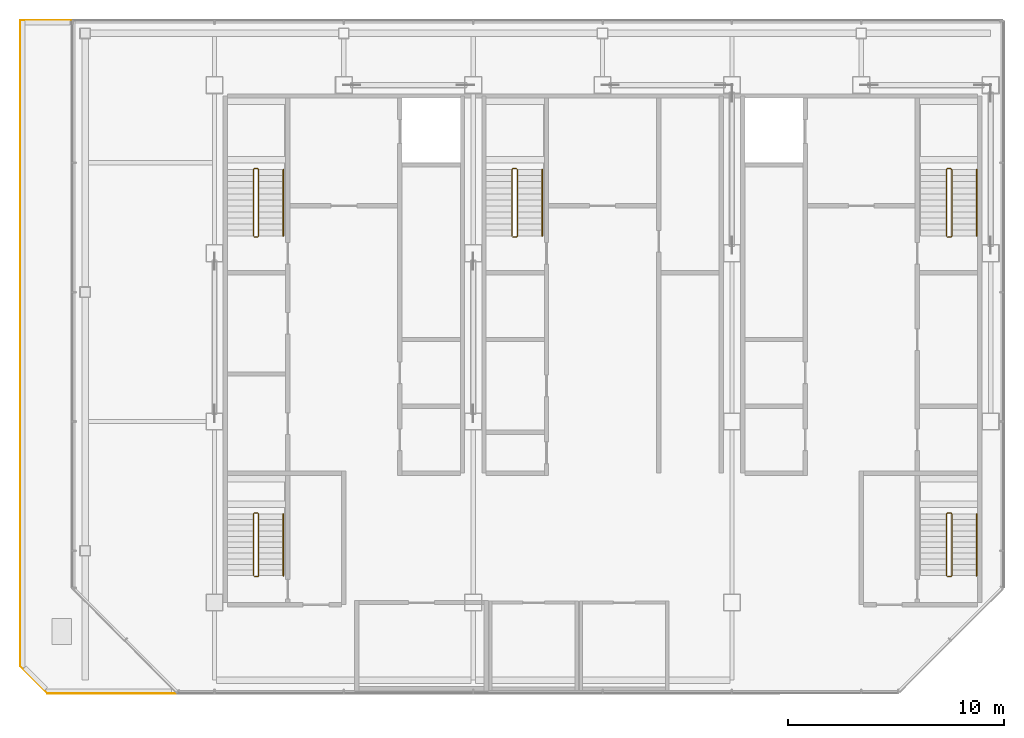
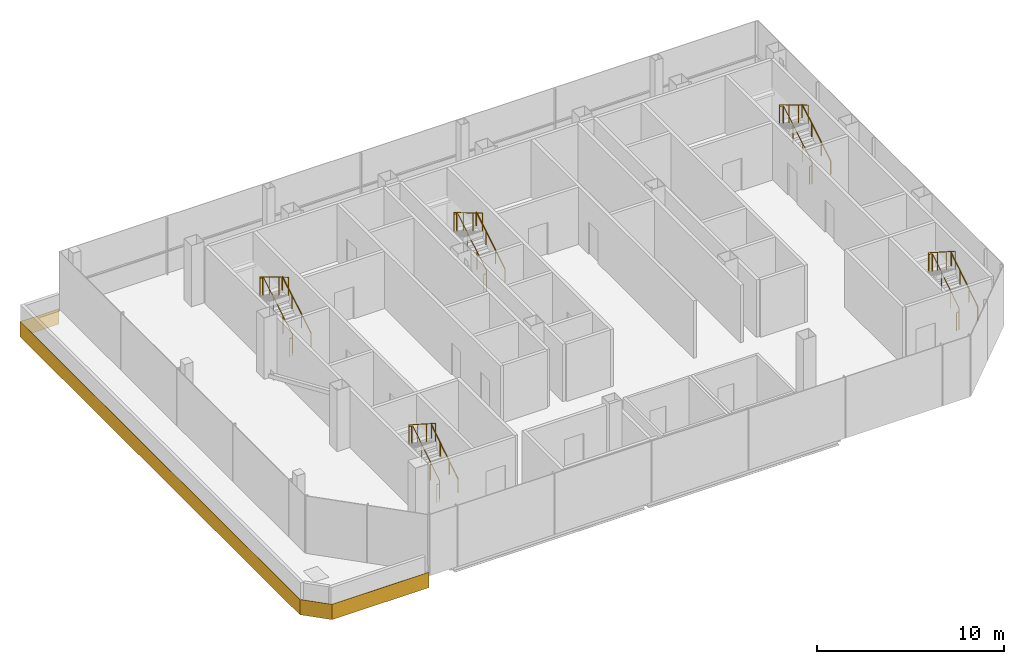
# One storey, part 11 of 11: 10 railings, 1 covering.
"""IFC4 building model written with IfcOpenShell, lengths in metres."""

import ifcopenshell
import ifcopenshell.guid

model = None  # the IFC model being written
_history = None  # IfcOwnerHistory: only IFC2X3 demands one
_inside = {}  # id of a spatial element -> (the spatial element, [elements in it])
_under = {}  # id of a project, library or spatial element -> (it, [spatial elements below it])
_declared = {}  # id of a project -> (the project, [libraries it declares])
_typed = {}  # id of a type object -> (the type object, [elements of that type])
_made_of = {}  # id of a material, layer set ... -> (it, [elements and type objects made of it])


def new_model(schema):
    """Start an empty IFC model of exactly this schema.

    Asked for "IFC4X3", IfcOpenShell would pick the latest addendum, in which some entities
    have other attributes; the version numbers below select the first issue.
    IFC2X3 requires an IfcOwnerHistory on every rooted entity: one is made here for all.
    """
    global model, _history
    if schema == "IFC4X3":
        model = ifcopenshell.file(schema_version=(4, 3, 0, 0))
    else:
        model = ifcopenshell.file(schema=schema)
    _inside.clear()
    _under.clear()
    _declared.clear()
    _typed.clear()
    _made_of.clear()
    _history = None
    if model.schema == "IFC2X3":
        org = make("IfcOrganization", Name="unknown")
        user = make(
            "IfcPersonAndOrganization",
            ThePerson=make("IfcPerson", FamilyName="unknown"),
            TheOrganization=org,
        )
        app = make(
            "IfcApplication",
            ApplicationDeveloper=org,
            Version="unknown",
            ApplicationFullName="unknown",
            ApplicationIdentifier="unknown",
        )
        _history = make(
            "IfcOwnerHistory",
            OwningUser=user,
            OwningApplication=app,
            ChangeAction="ADDED",
            CreationDate=0,
        )
    return model


def make(cls, **values):
    """One entity of the class cls with the attributes given. An attribute that is None is left unset."""
    return model.create_entity(
        cls, **{name: value for name, value in values.items() if value is not None}
    )


def rooted(cls, **values):
    """An entity with a GlobalId (a new one), such as an element, a storey or a relation."""
    return make(cls, GlobalId=ifcopenshell.guid.new(), OwnerHistory=_history, **values)


def si_unit(unit_type, name, prefix=None):
    """IfcSIUnit, for example si_unit("LENGTHUNIT", "METRE", prefix="MILLI")."""
    return make("IfcSIUnit", UnitType=unit_type, Prefix=prefix, Name=name)


def assignment(units):
    """IfcUnitAssignment: the units of a project."""
    return None if units is None else make("IfcUnitAssignment", Units=units)


def point(xyz):
    """IfcCartesianPoint."""
    return None if xyz is None else make("IfcCartesianPoint", Coordinates=xyz)


def direction(xyz):
    """IfcDirection."""
    return None if xyz is None else make("IfcDirection", DirectionRatios=xyz)


def frame(location, z_axis=None, x_axis=None):
    """IfcAxis2Placement3D, a coordinate frame: its origin and axes. An axis left out is left unset."""
    return make(
        "IfcAxis2Placement3D",
        Location=point(location),
        Axis=direction(z_axis),
        RefDirection=direction(x_axis),
    )


def frame_2d(location, x_axis=None):
    """IfcAxis2Placement2D, a coordinate frame in the plane: its origin and x axis."""
    return make(
        "IfcAxis2Placement2D", Location=point(location), RefDirection=direction(x_axis)
    )


def origin():
    """The frame at (0, 0, 0) with its axes left unset."""
    return frame((0.0, 0.0, 0.0))


def origin_2d():
    """The frame at (0, 0) in the plane with its x axis left unset."""
    return frame_2d((0.0, 0.0))


def place(relative_to, where):
    """IfcLocalPlacement: puts the frame where relative to a parent placement (None: the world)."""
    return make(
        "IfcLocalPlacement", PlacementRelTo=relative_to, RelativePlacement=where
    )


def context(
    kind, dimensions, precision=None, world=None, true_north=None, identifier=None
):
    """IfcGeometricRepresentationContext, for example the 3D "Model" context."""
    return make(
        "IfcGeometricRepresentationContext",
        ContextIdentifier=identifier,
        ContextType=kind,
        CoordinateSpaceDimension=dimensions,
        Precision=precision,
        WorldCoordinateSystem=world,
        TrueNorth=true_north,
    )


def subcontext(parent, identifier, kind, view, scale=None):
    """IfcGeometricRepresentationSubContext, for example "Body" below "Model"."""
    return make(
        "IfcGeometricRepresentationSubContext",
        ContextIdentifier=identifier,
        ContextType=kind,
        ParentContext=parent,
        TargetScale=scale,
        TargetView=view,
    )


def project(units=None, contexts=None):
    """IfcProject with its units and contexts."""
    return rooted(
        "IfcProject",
        Name="project",
        RepresentationContexts=contexts,
        UnitsInContext=assignment(units),
    )


def spatial(cls, under=None, at=None, **own):
    """A site, building, storey or space (cls), placed at a placement, below another one or the project."""
    s = rooted(cls, ObjectPlacement=at, **own)
    if under is not None:
        _under.setdefault(under.id(), (under, []))[1].append(s)
    return s


def polyline(points):
    """IfcPolyline through the points."""
    return make("IfcPolyline", Points=[point(p) for p in points])


def profile(cls, at=None, kind="AREA", **sizes):
    """A parametric profile (cls). Its sizes go by their IFC names, for example OverallWidth=200.0."""
    return make(cls, ProfileType=kind, Position=at, **sizes)


def circle(**sizes):
    """IfcCircleProfileDef."""
    return profile("IfcCircleProfileDef", **sizes)


def outline(outer, holes=None, kind="AREA"):
    """IfcArbitraryClosedProfileDef: a profile drawn as a closed curve; with holes, ...WithVoids."""
    if holes is None:
        return make("IfcArbitraryClosedProfileDef", ProfileType=kind, OuterCurve=outer)
    return make(
        "IfcArbitraryProfileDefWithVoids",
        ProfileType=kind,
        OuterCurve=outer,
        InnerCurves=holes,
    )


def extrude(swept, where, along, depth):
    """IfcExtrudedAreaSolid: the profile swept, set in the frame where, extruded along a direction by depth."""
    return make(
        "IfcExtrudedAreaSolid",
        SweptArea=swept,
        Position=where,
        ExtrudedDirection=direction(along),
        Depth=depth,
    )


def shape(context_of_items, identifier, shape_type, items):
    """IfcShapeRepresentation: the items that make up one representation, for example the "Body"."""
    return make(
        "IfcShapeRepresentation",
        ContextOfItems=context_of_items,
        RepresentationIdentifier=identifier,
        RepresentationType=shape_type,
        Items=items,
    )


def material(Name=None, Category=None):
    """IfcMaterial."""
    return make("IfcMaterial", Name=Name, Category=Category)


def layer(
    of_material, thickness, ventilated=None, Name=None, Category=None, Priority=None
):
    """IfcMaterialLayer: one layer of a wall or slab, of a material (None: an air gap)."""
    return make(
        "IfcMaterialLayer",
        Material=of_material,
        LayerThickness=thickness,
        IsVentilated=ventilated,
        Name=Name,
        Category=Category,
        Priority=Priority,
    )


def layer_set(layers, Name=None):
    """IfcMaterialLayerSet."""
    return make("IfcMaterialLayerSet", MaterialLayers=layers, LayerSetName=Name)


def made_of(thing, what):
    """Note that an element or type object is made of a material, layer set ...; save() writes the relation."""
    if what is not None:
        _made_of.setdefault(what.id(), (what, []))[1].append(thing)
    return thing


def type_object(cls, material=None, **own):
    """A type object (cls), such as IfcWallType, which elements share."""
    return made_of(rooted(cls, **own), material)


def element(
    cls,
    number,
    at=None,
    inside=None,
    cuts=None,
    type_object=None,
    material=None,
    context=None,
    identifier="Body",
    shape_type=None,
    held_by="IfcProductDefinitionShape",
    body=None,
    shapes=None,
    **own,
):
    """One element of the class cls, such as IfcWall. Its Tag is "e" and its number.

    at: its placement. inside: the storey or other place that contains it. cuts: it is an
    opening in that element (IfcRelVoidsElement). A single representation is given by context,
    identifier, shape_type and body (its items); several are given by shapes. held_by: the class
    of the entity that holds the representations. save() writes the other relations.
    """
    e = rooted(cls, Tag="e%d" % number, ObjectPlacement=at, **own)
    if body is not None:
        shapes = [shape(context, identifier, shape_type, body)]
    if shapes is not None:
        e.Representation = make(held_by, Representations=shapes)
    if inside is not None:
        _inside.setdefault(inside.id(), (inside, []))[1].append(e)
    if cuts is not None:
        rooted(
            "IfcRelVoidsElement", RelatingBuildingElement=cuts, RelatedOpeningElement=e
        )
    if type_object is not None:
        _typed.setdefault(type_object.id(), (type_object, []))[1].append(e)
    return made_of(e, material)


def aggregate(whole, parts):
    """IfcRelAggregates: a whole, such as a stair, and the parts it consists of."""
    return rooted("IfcRelAggregates", RelatingObject=whole, RelatedObjects=parts)


def save(model, path):
    """Write the relations noted so far, then the file.

    IfcRelAggregates (storeys below a building ...), IfcRelContainedInSpatialStructure (elements
    in a storey), IfcRelDefinesByType, IfcRelAssociatesMaterial and IfcRelDeclares: one each for
    every whole, place, type object, material and project.
    """
    for whole, parts in _under.values():
        aggregate(whole, parts)
    for where, things in _inside.values():
        rooted(
            "IfcRelContainedInSpatialStructure",
            RelatedElements=things,
            RelatingStructure=where,
        )
    for kind, things in _typed.values():
        rooted("IfcRelDefinesByType", RelatedObjects=things, RelatingType=kind)
    for what, things in _made_of.values():
        rooted("IfcRelAssociatesMaterial", RelatedObjects=things, RelatingMaterial=what)
    for by, libraries in _declared.values():
        rooted("IfcRelDeclares", RelatingContext=by, RelatedDefinitions=libraries)
    model.write(path)


model = new_model("IFC4")

# Units and contexts
model_context = context("Model", 3, precision=1e-05, world=origin(), true_north=direction((0.0, 1.0)))
body_context = subcontext(model_context, "Body", "Model", "MODEL_VIEW")
ifc_project = project(units=[si_unit("LENGTHUNIT", "METRE"), si_unit("AREAUNIT", "SQUARE_METRE"), si_unit("VOLUMEUNIT", "CUBIC_METRE"), si_unit("PLANEANGLEUNIT", "RADIAN"), si_unit("MASSUNIT", "GRAM", prefix="KILO")], contexts=[model_context])

# Site, building, storey
site_placement = place(None, origin())
site = spatial("IfcSite", under=ifc_project, at=site_placement, CompositionType="ELEMENT")
building_placement = place(site_placement, origin())
building = spatial("IfcBuilding", under=site, at=building_placement, Name="Sorahane Residences", CompositionType="ELEMENT")
storey_placement = place(building_placement, frame((0.0, 0.0, 349.800048828125)))
storey = spatial("IfcBuildingStorey", under=building, at=storey_placement, Name="L83", CompositionType="ELEMENT", Elevation=349.800048828125)

# Covering
ifc_material_1 = material(Name="Dark bronze aluminium", Category="aluminium")
ifc_layer = layer(ifc_material_1, 0.02001953125)
ifc_layer_set = layer_set([ifc_layer], Name="Edge fascia dark bronze aluminium 20")
covering_type = type_object("IfcCoveringType", Name="Edge fascia dark bronze aluminium 20", PredefinedType="CLADDING", material=ifc_layer_set)
covering_placement = place(storey_placement, frame((0.0, 0.0, -1.0)))
element("IfcCovering", 1, at=covering_placement, inside=storey, type_object=covering_type, Name="Edge fascia L83.1.1", PredefinedType="CLADDING", context=body_context, shape_type="SweptSolid", body=[
    extrude(outline(polyline([(-1.757080078125, 17.37890625), (-3.02099609375, 18.642822265625), (-3.02099609375, 48.62109375), (-0.610107421875, 48.62109375), (-0.610107421875, 48.60107421875), (-3.0009765625, 48.60107421875), (-3.0009765625, 18.651123046875), (-1.748779296875, 17.39892578125), (4.2373046875, 17.39892578125), (4.2373046875, 17.37890625), (-1.757080078125, 17.37890625)])), origin(), (0.0, 0.0, 1.0), 1.0),
])

# Railings
ifc_material_2 = material(Name="Steel Q355B", Category="steel")
railing_type_1 = type_object("IfcRailingType", Name="Stair guard 1200 Steel Q355B", PredefinedType="GUARDRAIL", material=ifc_material_2)
railing_1_placement = place(storey_placement, frame((7.85009765625, 38.550048828125, 0.0)))
element("IfcRailing", 2, at=railing_1_placement, inside=storey, type_object=railing_type_1, Name="L83 S1 stair guard 1", PredefinedType="GUARDRAIL", context=body_context, shape_type="SweptSolid", body=[
    extrude(circle(Radius=0.02392578125, at=origin_2d()), frame((0.0, 0.0, 1.17578125), z_axis=(1.0, 0.0, 0.0), x_axis=(0.0, 1.0, 0.0)), (0.0, 0.0, 1.0), 0.14990234375),
    extrude(circle(Radius=0.02392578125, at=origin_2d()), frame((0.14990234375, 0.0, 1.17578125), z_axis=(0.27662974545, 0.27662974545, 0.920299933644), x_axis=(-0.707106781187, 0.707106781187, 0.0)), (0.0, 0.0, 1.0), 0.180908203125),
    extrude(circle(Radius=0.02392578125, at=origin_2d()), frame((0.199951171875, 0.050048828125, 1.34228515625), z_axis=(0.0, 0.859260807169, 0.511537745687), x_axis=(-1.0, 0.0, 0.0)), (0.0, 0.0, 1.0), 3.584228515625),
    extrude(circle(Radius=0.02392578125, at=origin_2d()), frame((0.199951171875, 3.1298828125, 3.17578125), z_axis=(-0.707106781187, 0.707106781187, 0.0), x_axis=(-0.707106781187, -0.707106781187, 0.0)), (0.0, 0.0, 1.0), 0.07080078125),
    extrude(circle(Radius=0.02392578125, at=origin_2d()), frame((0.14990234375, 3.179931640625, 3.17578125), z_axis=(-1.0, 0.0, 0.0), x_axis=(0.0, -1.0, 0.0)), (0.0, 0.0, 1.0), 0.14990234375),
    extrude(circle(Radius=0.02392578125, at=origin_2d()), frame((0.0, 3.179931640625, 3.17578125), z_axis=(-0.27662974545, -0.27662974545, 0.920299933644), x_axis=(0.707106781187, -0.707106781187, 0.0)), (0.0, 0.0, 1.0), 0.180908203125),
    extrude(circle(Radius=0.02392578125, at=origin_2d()), frame((-0.050048828125, 3.1298828125, 3.34228515625), z_axis=(0.0, -0.859260807169, 0.511537745687), x_axis=(1.0, 0.0, 0.0)), (0.0, 0.0, 1.0), 3.584228515625),
    extrude(circle(Radius=0.02099609375, at=origin_2d()), origin(), (0.0, 0.0, 1.0), 1.15185546875),
    extrude(circle(Radius=0.02099609375, at=origin_2d()), frame((0.14990234375, 0.0, 0.0)), (0.0, 0.0, 1.0), 1.15185546875),
    extrude(circle(Radius=0.02099609375, at=origin_2d()), frame((0.199951171875, 0.050048828125, 0.16650390625)), (0.0, 0.0, 1.0), 1.15185546875),
    extrude(circle(Radius=0.02099609375, at=origin_2d()), frame((0.199951171875, 1.07666015625, 0.777587890625)), (0.0, 0.0, 1.0), 1.15185546875),
    extrude(circle(Radius=0.02099609375, at=origin_2d()), frame((0.199951171875, 2.103271484375, 1.388916015625)), (0.0, 0.0, 1.0), 1.15185546875),
    extrude(circle(Radius=0.02099609375, at=origin_2d()), frame((0.199951171875, 3.1298828125, 2.0)), (0.0, 0.0, 1.0), 1.15185546875),
    extrude(circle(Radius=0.02099609375, at=origin_2d()), frame((0.14990234375, 3.179931640625, 2.0)), (0.0, 0.0, 1.0), 1.15185546875),
    extrude(circle(Radius=0.02099609375, at=origin_2d()), frame((0.0, 3.179931640625, 2.0)), (0.0, 0.0, 1.0), 1.15185546875),
    extrude(circle(Radius=0.02099609375, at=origin_2d()), frame((-0.050048828125, 3.1298828125, 2.16650390625)), (0.0, 0.0, 1.0), 1.15185546875),
    extrude(circle(Radius=0.02099609375, at=origin_2d()), frame((-0.050048828125, 2.103271484375, 2.777587890625)), (0.0, 0.0, 1.0), 1.15185546875),
    extrude(circle(Radius=0.02099609375, at=origin_2d()), frame((-0.050048828125, 1.07666015625, 3.388916015625)), (0.0, 0.0, 1.0), 1.15185546875),
    extrude(circle(Radius=0.02099609375, at=origin_2d()), frame((-0.050048828125, 0.050048828125, 4.0)), (0.0, 0.0, 1.0), 1.15185546875),
])
railing_2_placement = place(storey_placement, frame((40.0, 38.550048828125, 0.0)))
element("IfcRailing", 3, at=railing_2_placement, inside=storey, type_object=railing_type_1, Name="L83 S2 stair guard 1", PredefinedType="GUARDRAIL", context=body_context, shape_type="SweptSolid", body=[
    extrude(circle(Radius=0.02392578125, at=origin_2d()), frame((0.0, 0.0, 1.17578125), z_axis=(1.0, 0.0, 0.0), x_axis=(0.0, 1.0, 0.0)), (0.0, 0.0, 1.0), 0.14990234375),
    extrude(circle(Radius=0.02392578125, at=origin_2d()), frame((0.14990234375, 0.0, 1.17578125), z_axis=(0.27662974545, 0.27662974545, 0.920299933644), x_axis=(-0.707106781187, 0.707106781187, 0.0)), (0.0, 0.0, 1.0), 0.180908203125),
    extrude(circle(Radius=0.02392578125, at=origin_2d()), frame((0.199951171875, 0.050048828125, 1.34228515625), z_axis=(0.0, 0.859260807169, 0.511537745687), x_axis=(-1.0, 0.0, 0.0)), (0.0, 0.0, 1.0), 3.584228515625),
    extrude(circle(Radius=0.02392578125, at=origin_2d()), frame((0.199951171875, 3.1298828125, 3.17578125), z_axis=(-0.707106781187, 0.707106781187, 0.0), x_axis=(-0.707106781187, -0.707106781187, 0.0)), (0.0, 0.0, 1.0), 0.07080078125),
    extrude(circle(Radius=0.02392578125, at=origin_2d()), frame((0.14990234375, 3.179931640625, 3.17578125), z_axis=(-1.0, 0.0, 0.0), x_axis=(0.0, -1.0, 0.0)), (0.0, 0.0, 1.0), 0.14990234375),
    extrude(circle(Radius=0.02392578125, at=origin_2d()), frame((0.0, 3.179931640625, 3.17578125), z_axis=(-0.27662974545, -0.27662974545, 0.920299933644), x_axis=(0.707106781187, -0.707106781187, 0.0)), (0.0, 0.0, 1.0), 0.180908203125),
    extrude(circle(Radius=0.02392578125, at=origin_2d()), frame((-0.050048828125, 3.1298828125, 3.34228515625), z_axis=(0.0, -0.859260807169, 0.511537745687), x_axis=(1.0, 0.0, 0.0)), (0.0, 0.0, 1.0), 3.584228515625),
    extrude(circle(Radius=0.02099609375, at=origin_2d()), origin(), (0.0, 0.0, 1.0), 1.15185546875),
    extrude(circle(Radius=0.02099609375, at=origin_2d()), frame((0.14990234375, 0.0, 0.0)), (0.0, 0.0, 1.0), 1.15185546875),
    extrude(circle(Radius=0.02099609375, at=origin_2d()), frame((0.199951171875, 0.050048828125, 0.16650390625)), (0.0, 0.0, 1.0), 1.15185546875),
    extrude(circle(Radius=0.02099609375, at=origin_2d()), frame((0.199951171875, 1.07666015625, 0.777587890625)), (0.0, 0.0, 1.0), 1.15185546875),
    extrude(circle(Radius=0.02099609375, at=origin_2d()), frame((0.199951171875, 2.103271484375, 1.388916015625)), (0.0, 0.0, 1.0), 1.15185546875),
    extrude(circle(Radius=0.02099609375, at=origin_2d()), frame((0.199951171875, 3.1298828125, 2.0)), (0.0, 0.0, 1.0), 1.15185546875),
    extrude(circle(Radius=0.02099609375, at=origin_2d()), frame((0.14990234375, 3.179931640625, 2.0)), (0.0, 0.0, 1.0), 1.15185546875),
    extrude(circle(Radius=0.02099609375, at=origin_2d()), frame((0.0, 3.179931640625, 2.0)), (0.0, 0.0, 1.0), 1.15185546875),
    extrude(circle(Radius=0.02099609375, at=origin_2d()), frame((-0.050048828125, 3.1298828125, 2.16650390625)), (0.0, 0.0, 1.0), 1.15185546875),
    extrude(circle(Radius=0.02099609375, at=origin_2d()), frame((-0.050048828125, 2.103271484375, 2.777587890625)), (0.0, 0.0, 1.0), 1.15185546875),
    extrude(circle(Radius=0.02099609375, at=origin_2d()), frame((-0.050048828125, 1.07666015625, 3.388916015625)), (0.0, 0.0, 1.0), 1.15185546875),
    extrude(circle(Radius=0.02099609375, at=origin_2d()), frame((-0.050048828125, 0.050048828125, 4.0)), (0.0, 0.0, 1.0), 1.15185546875),
])
railing_3_placement = place(storey_placement, frame((19.85009765625, 38.550048828125, 0.0)))
element("IfcRailing", 4, at=railing_3_placement, inside=storey, type_object=railing_type_1, Name="L83 S3 stair guard 1", PredefinedType="GUARDRAIL", context=body_context, shape_type="SweptSolid", body=[
    extrude(circle(Radius=0.02392578125, at=origin_2d()), frame((0.0, 0.0, 1.17578125), z_axis=(1.0, 0.0, 0.0), x_axis=(0.0, 1.0, 0.0)), (0.0, 0.0, 1.0), 0.14990234375),
    extrude(circle(Radius=0.02392578125, at=origin_2d()), frame((0.14990234375, 0.0, 1.17578125), z_axis=(0.27662974545, 0.27662974545, 0.920299933644), x_axis=(-0.707106781187, 0.707106781187, 0.0)), (0.0, 0.0, 1.0), 0.180908203125),
    extrude(circle(Radius=0.02392578125, at=origin_2d()), frame((0.199951171875, 0.050048828125, 1.34228515625), z_axis=(0.0, 0.859260807169, 0.511537745687), x_axis=(-1.0, 0.0, 0.0)), (0.0, 0.0, 1.0), 3.584228515625),
    extrude(circle(Radius=0.02392578125, at=origin_2d()), frame((0.199951171875, 3.1298828125, 3.17578125), z_axis=(-0.707106781187, 0.707106781187, 0.0), x_axis=(-0.707106781187, -0.707106781187, 0.0)), (0.0, 0.0, 1.0), 0.07080078125),
    extrude(circle(Radius=0.02392578125, at=origin_2d()), frame((0.14990234375, 3.179931640625, 3.17578125), z_axis=(-1.0, 0.0, 0.0), x_axis=(0.0, -1.0, 0.0)), (0.0, 0.0, 1.0), 0.14990234375),
    extrude(circle(Radius=0.02392578125, at=origin_2d()), frame((0.0, 3.179931640625, 3.17578125), z_axis=(-0.27662974545, -0.27662974545, 0.920299933644), x_axis=(0.707106781187, -0.707106781187, 0.0)), (0.0, 0.0, 1.0), 0.180908203125),
    extrude(circle(Radius=0.02392578125, at=origin_2d()), frame((-0.050048828125, 3.1298828125, 3.34228515625), z_axis=(0.0, -0.859260807169, 0.511537745687), x_axis=(1.0, 0.0, 0.0)), (0.0, 0.0, 1.0), 3.584228515625),
    extrude(circle(Radius=0.02099609375, at=origin_2d()), origin(), (0.0, 0.0, 1.0), 1.15185546875),
    extrude(circle(Radius=0.02099609375, at=origin_2d()), frame((0.14990234375, 0.0, 0.0)), (0.0, 0.0, 1.0), 1.15185546875),
    extrude(circle(Radius=0.02099609375, at=origin_2d()), frame((0.199951171875, 0.050048828125, 0.16650390625)), (0.0, 0.0, 1.0), 1.15185546875),
    extrude(circle(Radius=0.02099609375, at=origin_2d()), frame((0.199951171875, 1.07666015625, 0.777587890625)), (0.0, 0.0, 1.0), 1.15185546875),
    extrude(circle(Radius=0.02099609375, at=origin_2d()), frame((0.199951171875, 2.103271484375, 1.388916015625)), (0.0, 0.0, 1.0), 1.15185546875),
    extrude(circle(Radius=0.02099609375, at=origin_2d()), frame((0.199951171875, 3.1298828125, 2.0)), (0.0, 0.0, 1.0), 1.15185546875),
    extrude(circle(Radius=0.02099609375, at=origin_2d()), frame((0.14990234375, 3.179931640625, 2.0)), (0.0, 0.0, 1.0), 1.15185546875),
    extrude(circle(Radius=0.02099609375, at=origin_2d()), frame((0.0, 3.179931640625, 2.0)), (0.0, 0.0, 1.0), 1.15185546875),
    extrude(circle(Radius=0.02099609375, at=origin_2d()), frame((-0.050048828125, 3.1298828125, 2.16650390625)), (0.0, 0.0, 1.0), 1.15185546875),
    extrude(circle(Radius=0.02099609375, at=origin_2d()), frame((-0.050048828125, 2.103271484375, 2.777587890625)), (0.0, 0.0, 1.0), 1.15185546875),
    extrude(circle(Radius=0.02099609375, at=origin_2d()), frame((-0.050048828125, 1.07666015625, 3.388916015625)), (0.0, 0.0, 1.0), 1.15185546875),
    extrude(circle(Radius=0.02099609375, at=origin_2d()), frame((-0.050048828125, 0.050048828125, 4.0)), (0.0, 0.0, 1.0), 1.15185546875),
])
railing_4_placement = place(storey_placement, frame((7.85009765625, 22.800048828125, 0.0)))
element("IfcRailing", 5, at=railing_4_placement, inside=storey, type_object=railing_type_1, Name="L83 S4 stair guard 1", PredefinedType="GUARDRAIL", context=body_context, shape_type="SweptSolid", body=[
    extrude(circle(Radius=0.02392578125, at=origin_2d()), frame((0.0, 0.0, 1.17578125), z_axis=(1.0, 0.0, 0.0), x_axis=(0.0, 1.0, 0.0)), (0.0, 0.0, 1.0), 0.14990234375),
    extrude(circle(Radius=0.02392578125, at=origin_2d()), frame((0.14990234375, 0.0, 1.17578125), z_axis=(0.27662974545, 0.27662974545, 0.920299933644), x_axis=(-0.707106781187, 0.707106781187, 0.0)), (0.0, 0.0, 1.0), 0.180908203125),
    extrude(circle(Radius=0.02392578125, at=origin_2d()), frame((0.199951171875, 0.050048828125, 1.34228515625), z_axis=(0.0, 0.841845648701, 0.539718355963), x_axis=(-1.0, 0.0, 0.0)), (0.0, 0.0, 1.0), 3.397216796875),
    extrude(circle(Radius=0.02392578125, at=origin_2d()), frame((0.199951171875, 2.909912109375, 3.17578125), z_axis=(-0.707106781187, 0.707106781187, 0.0), x_axis=(-0.707106781187, -0.707106781187, 0.0)), (0.0, 0.0, 1.0), 0.07080078125),
    extrude(circle(Radius=0.02392578125, at=origin_2d()), frame((0.14990234375, 2.9599609375, 3.17578125), z_axis=(-1.0, 0.0, 0.0), x_axis=(0.0, -1.0, 0.0)), (0.0, 0.0, 1.0), 0.14990234375),
    extrude(circle(Radius=0.02392578125, at=origin_2d()), frame((0.0, 2.9599609375, 3.17578125), z_axis=(-0.27662974545, -0.27662974545, 0.920299933644), x_axis=(0.707106781187, -0.707106781187, 0.0)), (0.0, 0.0, 1.0), 0.180908203125),
    extrude(circle(Radius=0.02392578125, at=origin_2d()), frame((-0.050048828125, 2.909912109375, 3.34228515625), z_axis=(0.0, -0.841845648701, 0.539718355963), x_axis=(1.0, 0.0, 0.0)), (0.0, 0.0, 1.0), 3.397216796875),
    extrude(circle(Radius=0.02099609375, at=origin_2d()), origin(), (0.0, 0.0, 1.0), 1.15185546875),
    extrude(circle(Radius=0.02099609375, at=origin_2d()), frame((0.14990234375, 0.0, 0.0)), (0.0, 0.0, 1.0), 1.15185546875),
    extrude(circle(Radius=0.02099609375, at=origin_2d()), frame((0.199951171875, 0.050048828125, 0.16650390625)), (0.0, 0.0, 1.0), 1.15185546875),
    extrude(circle(Radius=0.02099609375, at=origin_2d()), frame((0.199951171875, 1.00341796875, 0.777587890625)), (0.0, 0.0, 1.0), 1.15185546875),
    extrude(circle(Radius=0.02099609375, at=origin_2d()), frame((0.199951171875, 1.95654296875, 1.388916015625)), (0.0, 0.0, 1.0), 1.15185546875),
    extrude(circle(Radius=0.02099609375, at=origin_2d()), frame((0.199951171875, 2.909912109375, 2.0)), (0.0, 0.0, 1.0), 1.15185546875),
    extrude(circle(Radius=0.02099609375, at=origin_2d()), frame((0.14990234375, 2.9599609375, 2.0)), (0.0, 0.0, 1.0), 1.15185546875),
    extrude(circle(Radius=0.02099609375, at=origin_2d()), frame((0.0, 2.9599609375, 2.0)), (0.0, 0.0, 1.0), 1.15185546875),
    extrude(circle(Radius=0.02099609375, at=origin_2d()), frame((-0.050048828125, 2.909912109375, 2.16650390625)), (0.0, 0.0, 1.0), 1.15185546875),
    extrude(circle(Radius=0.02099609375, at=origin_2d()), frame((-0.050048828125, 1.95654296875, 2.777587890625)), (0.0, 0.0, 1.0), 1.15185546875),
    extrude(circle(Radius=0.02099609375, at=origin_2d()), frame((-0.050048828125, 1.00341796875, 3.388916015625)), (0.0, 0.0, 1.0), 1.15185546875),
    extrude(circle(Radius=0.02099609375, at=origin_2d()), frame((-0.050048828125, 0.050048828125, 4.0)), (0.0, 0.0, 1.0), 1.15185546875),
])
railing_5_placement = place(storey_placement, frame((40.0, 22.800048828125, 0.0)))
element("IfcRailing", 6, at=railing_5_placement, inside=storey, type_object=railing_type_1, Name="L83 S5 stair guard 1", PredefinedType="GUARDRAIL", context=body_context, shape_type="SweptSolid", body=[
    extrude(circle(Radius=0.02392578125, at=origin_2d()), frame((0.0, 0.0, 1.17578125), z_axis=(1.0, 0.0, 0.0), x_axis=(0.0, 1.0, 0.0)), (0.0, 0.0, 1.0), 0.14990234375),
    extrude(circle(Radius=0.02392578125, at=origin_2d()), frame((0.14990234375, 0.0, 1.17578125), z_axis=(0.27662974545, 0.27662974545, 0.920299933644), x_axis=(-0.707106781187, 0.707106781187, 0.0)), (0.0, 0.0, 1.0), 0.180908203125),
    extrude(circle(Radius=0.02392578125, at=origin_2d()), frame((0.199951171875, 0.050048828125, 1.34228515625), z_axis=(0.0, 0.841845648701, 0.539718355963), x_axis=(-1.0, 0.0, 0.0)), (0.0, 0.0, 1.0), 3.397216796875),
    extrude(circle(Radius=0.02392578125, at=origin_2d()), frame((0.199951171875, 2.909912109375, 3.17578125), z_axis=(-0.707106781187, 0.707106781187, 0.0), x_axis=(-0.707106781187, -0.707106781187, 0.0)), (0.0, 0.0, 1.0), 0.07080078125),
    extrude(circle(Radius=0.02392578125, at=origin_2d()), frame((0.14990234375, 2.9599609375, 3.17578125), z_axis=(-1.0, 0.0, 0.0), x_axis=(0.0, -1.0, 0.0)), (0.0, 0.0, 1.0), 0.14990234375),
    extrude(circle(Radius=0.02392578125, at=origin_2d()), frame((0.0, 2.9599609375, 3.17578125), z_axis=(-0.27662974545, -0.27662974545, 0.920299933644), x_axis=(0.707106781187, -0.707106781187, 0.0)), (0.0, 0.0, 1.0), 0.180908203125),
    extrude(circle(Radius=0.02392578125, at=origin_2d()), frame((-0.050048828125, 2.909912109375, 3.34228515625), z_axis=(0.0, -0.841845648701, 0.539718355963), x_axis=(1.0, 0.0, 0.0)), (0.0, 0.0, 1.0), 3.397216796875),
    extrude(circle(Radius=0.02099609375, at=origin_2d()), origin(), (0.0, 0.0, 1.0), 1.15185546875),
    extrude(circle(Radius=0.02099609375, at=origin_2d()), frame((0.14990234375, 0.0, 0.0)), (0.0, 0.0, 1.0), 1.15185546875),
    extrude(circle(Radius=0.02099609375, at=origin_2d()), frame((0.199951171875, 0.050048828125, 0.16650390625)), (0.0, 0.0, 1.0), 1.15185546875),
    extrude(circle(Radius=0.02099609375, at=origin_2d()), frame((0.199951171875, 1.00341796875, 0.777587890625)), (0.0, 0.0, 1.0), 1.15185546875),
    extrude(circle(Radius=0.02099609375, at=origin_2d()), frame((0.199951171875, 1.95654296875, 1.388916015625)), (0.0, 0.0, 1.0), 1.15185546875),
    extrude(circle(Radius=0.02099609375, at=origin_2d()), frame((0.199951171875, 2.909912109375, 2.0)), (0.0, 0.0, 1.0), 1.15185546875),
    extrude(circle(Radius=0.02099609375, at=origin_2d()), frame((0.14990234375, 2.9599609375, 2.0)), (0.0, 0.0, 1.0), 1.15185546875),
    extrude(circle(Radius=0.02099609375, at=origin_2d()), frame((0.0, 2.9599609375, 2.0)), (0.0, 0.0, 1.0), 1.15185546875),
    extrude(circle(Radius=0.02099609375, at=origin_2d()), frame((-0.050048828125, 2.909912109375, 2.16650390625)), (0.0, 0.0, 1.0), 1.15185546875),
    extrude(circle(Radius=0.02099609375, at=origin_2d()), frame((-0.050048828125, 1.95654296875, 2.777587890625)), (0.0, 0.0, 1.0), 1.15185546875),
    extrude(circle(Radius=0.02099609375, at=origin_2d()), frame((-0.050048828125, 1.00341796875, 3.388916015625)), (0.0, 0.0, 1.0), 1.15185546875),
    extrude(circle(Radius=0.02099609375, at=origin_2d()), frame((-0.050048828125, 0.050048828125, 4.0)), (0.0, 0.0, 1.0), 1.15185546875),
])
ifc_material_3 = material(Name="Steel Q355B", Category="steel")
railing_type_2 = type_object("IfcRailingType", Name="Stair handrail 900 Steel Q355B", PredefinedType="HANDRAIL", material=ifc_material_3)
for number, where, name in (
    (7, (9.199951171875, 38.60009765625, 0.16650390625), "L83 S1 stair handrail 1"),
    (8, (41.35009765625, 38.60009765625, 0.16650390625), "L83 S2 stair handrail 1"),
    (9, (21.199951171875, 38.60009765625, 0.16650390625), "L83 S3 stair handrail 1"),
):
    element("IfcRailing", number, at=place(storey_placement, frame(where)), inside=storey, type_object=railing_type_2, Name=name, PredefinedType="HANDRAIL", context=body_context, shape_type="SweptSolid", body=[
        extrude(circle(Radius=0.02392578125, at=origin_2d()), frame((0.0, 0.0, 0.8759765625), z_axis=(0.0, 0.859260807169, 0.511537745687), x_axis=(-1.0, 0.0, 0.0)), (0.0, 0.0, 1.0), 3.584228515625),
        extrude(circle(Radius=0.02099609375, at=origin_2d()), origin(), (0.0, 0.0, 1.0), 0.851806640625),
        extrude(circle(Radius=0.02099609375, at=origin_2d()), frame((0.0, 1.026611328125, 0.611083984375)), (0.0, 0.0, 1.0), 0.851806640625),
        extrude(circle(Radius=0.02099609375, at=origin_2d()), frame((0.0, 2.05322265625, 1.222412109375)), (0.0, 0.0, 1.0), 0.851806640625),
        extrude(circle(Radius=0.02099609375, at=origin_2d()), frame((0.0, 3.079833984375, 1.83349609375)), (0.0, 0.0, 1.0), 0.851806640625),
    ])
for number, where, name in (
    (10, (9.199951171875, 22.85009765625, 0.16650390625), "L83 S4 stair handrail 1"),
    (11, (41.35009765625, 22.85009765625, 0.16650390625), "L83 S5 stair handrail 1"),
):
    element("IfcRailing", number, at=place(storey_placement, frame(where)), inside=storey, type_object=railing_type_2, Name=name, PredefinedType="HANDRAIL", context=body_context, shape_type="SweptSolid", body=[
        extrude(circle(Radius=0.02392578125, at=origin_2d()), frame((0.0, 0.0, 0.8759765625), z_axis=(0.0, 0.841845648701, 0.539718355963), x_axis=(-1.0, 0.0, 0.0)), (0.0, 0.0, 1.0), 3.397216796875),
        extrude(circle(Radius=0.02099609375, at=origin_2d()), origin(), (0.0, 0.0, 1.0), 0.851806640625),
        extrude(circle(Radius=0.02099609375, at=origin_2d()), frame((0.0, 0.953369140625, 0.611083984375)), (0.0, 0.0, 1.0), 0.851806640625),
        extrude(circle(Radius=0.02099609375, at=origin_2d()), frame((0.0, 1.906494140625, 1.222412109375)), (0.0, 0.0, 1.0), 0.851806640625),
        extrude(circle(Radius=0.02099609375, at=origin_2d()), frame((0.0, 2.85986328125, 1.83349609375)), (0.0, 0.0, 1.0), 0.851806640625),
    ])

save(model, "model.ifc")
